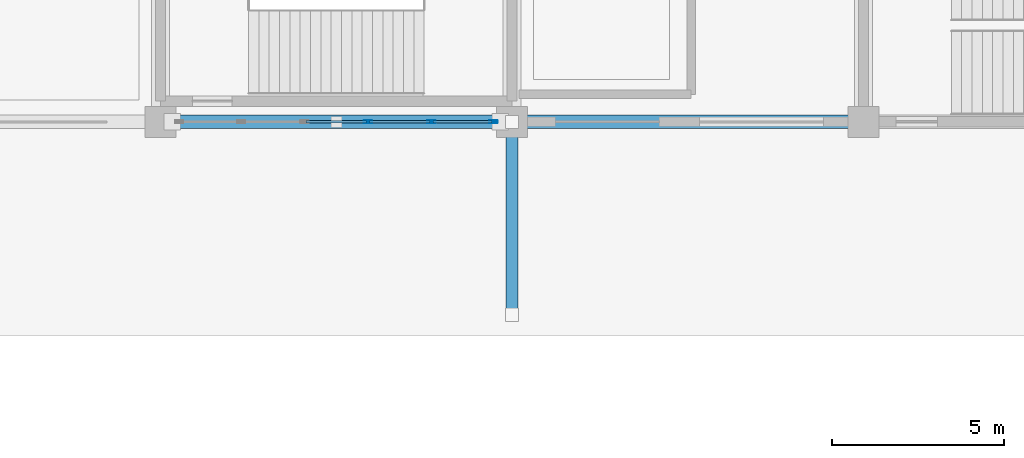
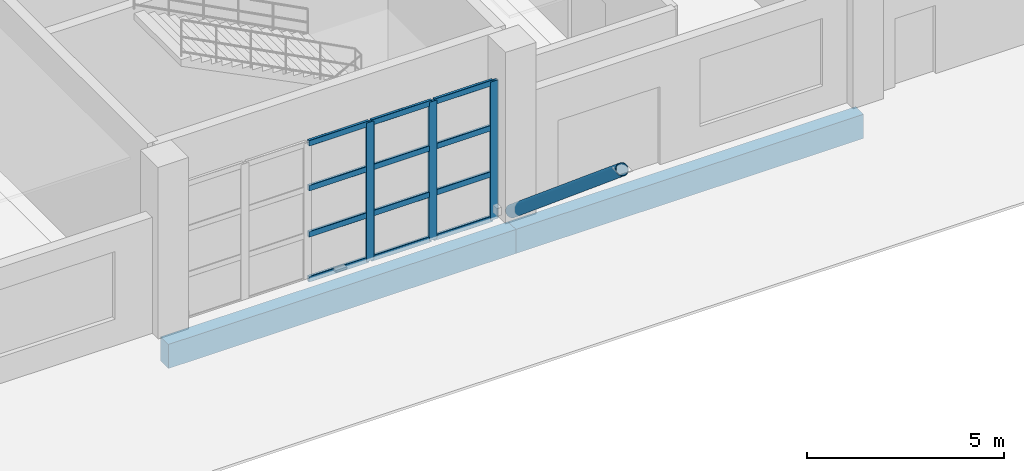
# One storey, part 24 of 124: 16 members, 2 beams, 1 element without a shape of its own.
"""IFC4 building model written with IfcOpenShell, lengths in metres."""

from ifc_helpers import new_model, si_unit, direction, frame, origin, origin_2d, place, context, subcontext, project, spatial, rectangle, hollow_rectangle, hollow_circle, extrude, material, material_profile, profile_set, type_object, element, aggregate, save


model = new_model("IFC4")

# Units and contexts
model_context = context("Model", 3, precision=1e-05, world=origin(), true_north=direction((0.0, 1.0)))
body_context = subcontext(model_context, "Body", "Model", "MODEL_VIEW")
ifc_project = project(units=[si_unit("LENGTHUNIT", "METRE"), si_unit("AREAUNIT", "SQUARE_METRE"), si_unit("VOLUMEUNIT", "CUBIC_METRE"), si_unit("PLANEANGLEUNIT", "RADIAN"), si_unit("MASSUNIT", "GRAM", prefix="KILO")], contexts=[model_context])

# Site, building, storey
site_placement = place(None, origin())
site = spatial("IfcSite", under=ifc_project, at=site_placement, CompositionType="ELEMENT")
building_placement = place(site_placement, origin())
building = spatial("IfcBuilding", under=site, at=building_placement, Name="Brelvane Convention Centre", CompositionType="ELEMENT")
storey_placement = place(building_placement, origin())
storey = spatial("IfcBuildingStorey", under=building, at=storey_placement, Name="L00", CompositionType="ELEMENT", Elevation=0.0)

# Curtain wall, members
ifc_material_1 = material(Name="Anodised Aluminium Alloy 6063-T6", Category="aluminium")
curtain_wall_type = type_object("IfcCurtainWallType", Name="Curtain Wall CW-CONC", PredefinedType="USERDEFINED", material=ifc_material_1)
curtain_wall_placement = place(storey_placement, origin())
curtain_wall = element("IfcCurtainWall", 1, at=curtain_wall_placement, inside=storey, type_object=curtain_wall_type, Name="Curtain Wall CW-CONC L00-V1S-02", ObjectType="UNITISED", PredefinedType="USERDEFINED")
ifc_material_2 = material(Name="Anodised Aluminium Alloy 6063-T6", Category="aluminium")
ifc_material_profile_1 = material_profile(ifc_material_2, hollow_rectangle(XDim=0.080078125, YDim=0.239990234375, WallThickness=0.006103515625, InnerFilletRadius=0.006103515625, OuterFilletRadius=0.011962890625, at=origin_2d()), Name="ALU-M 240x80x6.0")
ifc_profile_set_1 = profile_set([ifc_material_profile_1], Name="Anodised Aluminium Alloy 6063-T6")
member_type_1 = type_object("IfcMemberType", Name="Curtain Mullion CW-M1", PredefinedType="MULLION", material=ifc_profile_set_1)
member_1_placement = place(storey_placement, frame((16.219970703125, 19.199951171875, 0.0), z_axis=(0.0, 0.0, 1.0), x_axis=(0.0, 1.0, 0.0)))
member_1 = element("IfcMember", 2, at=member_1_placement, type_object=member_type_1, Name="CW-CONC mullion 4", PredefinedType="MULLION", context=body_context, shape_type="SweptSolid", body=[
    extrude(hollow_rectangle(XDim=0.080078125, YDim=0.239990234375, WallThickness=0.006103515625, InnerFilletRadius=0.006103515625, OuterFilletRadius=0.011962890625, at=origin_2d()), origin(), (0.0, 0.0, 1.0), 4.300048828125),
])
member_2_placement = place(storey_placement, frame((18.06005859375, 19.199951171875, 0.0), z_axis=(0.0, 0.0, 1.0), x_axis=(0.0, 1.0, 0.0)))
member_2 = element("IfcMember", 3, at=member_2_placement, type_object=member_type_1, Name="CW-CONC mullion 5", PredefinedType="MULLION", context=body_context, shape_type="SweptSolid", body=[
    extrude(hollow_rectangle(XDim=0.080078125, YDim=0.239990234375, WallThickness=0.006103515625, InnerFilletRadius=0.006103515625, OuterFilletRadius=0.011962890625, at=origin_2d()), origin(), (0.0, 0.0, 1.0), 4.300048828125),
])
member_3_placement = place(storey_placement, frame((19.860107421875, 19.199951171875, 0.0), z_axis=(0.0, 0.0, 1.0), x_axis=(0.0, 1.0, 0.0)))
member_3 = element("IfcMember", 4, at=member_3_placement, type_object=member_type_1, Name="CW-CONC mullion 6", PredefinedType="MULLION", context=body_context, shape_type="SweptSolid", body=[
    extrude(hollow_rectangle(XDim=0.080078125, YDim=0.239990234375, WallThickness=0.006103515625, InnerFilletRadius=0.006103515625, OuterFilletRadius=0.011962890625, at=origin_2d()), origin(), (0.0, 0.0, 1.0), 4.300048828125),
])
ifc_material_3 = material(Name="Anodised Aluminium Alloy 6063-T6", Category="aluminium")
ifc_material_profile_2 = material_profile(ifc_material_3, hollow_rectangle(XDim=0.080078125, YDim=0.179931640625, WallThickness=0.0048828125, InnerFilletRadius=0.0048828125, OuterFilletRadius=0.010009765625, at=origin_2d()), Name="ALU-T 180x80x5.0")
ifc_profile_set_2 = profile_set([ifc_material_profile_2], Name="Anodised Aluminium Alloy 6063-T6")
member_type_2 = type_object("IfcMemberType", Name="Curtain Transom CW-T1", PredefinedType="USERDEFINED", material=ifc_profile_set_2)
member_4_placement = place(storey_placement, frame((14.419921875, 19.199951171875, 0.0400390625), z_axis=(1.0, 0.0, 0.0), x_axis=(0.0, 1.0, 0.0)))
member_4 = element("IfcMember", 5, at=member_4_placement, type_object=member_type_2, Name="CW-CONC transom 3.1", ObjectType="TRANSOM", PredefinedType="USERDEFINED", context=body_context, shape_type="SweptSolid", body=[
    extrude(hollow_rectangle(XDim=0.080078125, YDim=0.179931640625, WallThickness=0.0048828125, InnerFilletRadius=0.0048828125, OuterFilletRadius=0.010009765625, at=origin_2d()), origin(), (0.0, 0.0, 1.0), 1.760009765625),
])
member_5_placement = place(storey_placement, frame((14.419921875, 19.199951171875, 1.433349609375), z_axis=(1.0, 0.0, 0.0), x_axis=(0.0, 1.0, 0.0)))
member_5 = element("IfcMember", 6, at=member_5_placement, type_object=member_type_2, Name="CW-CONC transom 3.2", ObjectType="TRANSOM", PredefinedType="USERDEFINED", context=body_context, shape_type="SweptSolid", body=[
    extrude(hollow_rectangle(XDim=0.080078125, YDim=0.179931640625, WallThickness=0.0048828125, InnerFilletRadius=0.0048828125, OuterFilletRadius=0.010009765625, at=origin_2d()), origin(), (0.0, 0.0, 1.0), 1.760009765625),
])
member_6_placement = place(storey_placement, frame((14.419921875, 19.199951171875, 2.86669921875), z_axis=(1.0, 0.0, 0.0), x_axis=(0.0, 1.0, 0.0)))
member_6 = element("IfcMember", 7, at=member_6_placement, type_object=member_type_2, Name="CW-CONC transom 3.3", ObjectType="TRANSOM", PredefinedType="USERDEFINED", context=body_context, shape_type="SweptSolid", body=[
    extrude(hollow_rectangle(XDim=0.080078125, YDim=0.179931640625, WallThickness=0.0048828125, InnerFilletRadius=0.0048828125, OuterFilletRadius=0.010009765625, at=origin_2d()), origin(), (0.0, 0.0, 1.0), 1.760009765625),
])
member_7_placement = place(storey_placement, frame((14.419921875, 19.199951171875, 4.260009765625), z_axis=(1.0, 0.0, 0.0), x_axis=(0.0, 1.0, 0.0)))
member_7 = element("IfcMember", 8, at=member_7_placement, type_object=member_type_2, Name="CW-CONC transom 3.4", ObjectType="TRANSOM", PredefinedType="USERDEFINED", context=body_context, shape_type="SweptSolid", body=[
    extrude(hollow_rectangle(XDim=0.080078125, YDim=0.179931640625, WallThickness=0.0048828125, InnerFilletRadius=0.0048828125, OuterFilletRadius=0.010009765625, at=origin_2d()), origin(), (0.0, 0.0, 1.0), 1.760009765625),
])
member_8_placement = place(storey_placement, frame((16.260009765625, 19.199951171875, 0.0400390625), z_axis=(1.0, 0.0, 0.0), x_axis=(0.0, 1.0, 0.0)))
member_8 = element("IfcMember", 9, at=member_8_placement, type_object=member_type_2, Name="CW-CONC transom 4.1", ObjectType="TRANSOM", PredefinedType="USERDEFINED", context=body_context, shape_type="SweptSolid", body=[
    extrude(hollow_rectangle(XDim=0.080078125, YDim=0.179931640625, WallThickness=0.0048828125, InnerFilletRadius=0.0048828125, OuterFilletRadius=0.010009765625, at=origin_2d()), origin(), (0.0, 0.0, 1.0), 1.760009765625),
])
member_9_placement = place(storey_placement, frame((16.260009765625, 19.199951171875, 1.433349609375), z_axis=(1.0, 0.0, 0.0), x_axis=(0.0, 1.0, 0.0)))
member_9 = element("IfcMember", 10, at=member_9_placement, type_object=member_type_2, Name="CW-CONC transom 4.2", ObjectType="TRANSOM", PredefinedType="USERDEFINED", context=body_context, shape_type="SweptSolid", body=[
    extrude(hollow_rectangle(XDim=0.080078125, YDim=0.179931640625, WallThickness=0.0048828125, InnerFilletRadius=0.0048828125, OuterFilletRadius=0.010009765625, at=origin_2d()), origin(), (0.0, 0.0, 1.0), 1.760009765625),
])
member_10_placement = place(storey_placement, frame((16.260009765625, 19.199951171875, 2.86669921875), z_axis=(1.0, 0.0, 0.0), x_axis=(0.0, 1.0, 0.0)))
member_10 = element("IfcMember", 11, at=member_10_placement, type_object=member_type_2, Name="CW-CONC transom 4.3", ObjectType="TRANSOM", PredefinedType="USERDEFINED", context=body_context, shape_type="SweptSolid", body=[
    extrude(hollow_rectangle(XDim=0.080078125, YDim=0.179931640625, WallThickness=0.0048828125, InnerFilletRadius=0.0048828125, OuterFilletRadius=0.010009765625, at=origin_2d()), origin(), (0.0, 0.0, 1.0), 1.760009765625),
])
member_11_placement = place(storey_placement, frame((16.260009765625, 19.199951171875, 4.260009765625), z_axis=(1.0, 0.0, 0.0), x_axis=(0.0, 1.0, 0.0)))
member_11 = element("IfcMember", 12, at=member_11_placement, type_object=member_type_2, Name="CW-CONC transom 4.4", ObjectType="TRANSOM", PredefinedType="USERDEFINED", context=body_context, shape_type="SweptSolid", body=[
    extrude(hollow_rectangle(XDim=0.080078125, YDim=0.179931640625, WallThickness=0.0048828125, InnerFilletRadius=0.0048828125, OuterFilletRadius=0.010009765625, at=origin_2d()), origin(), (0.0, 0.0, 1.0), 1.760009765625),
])
member_12_placement = place(storey_placement, frame((18.10009765625, 19.199951171875, 0.0400390625), z_axis=(1.0, 0.0, 0.0), x_axis=(0.0, 1.0, 0.0)))
member_12 = element("IfcMember", 13, at=member_12_placement, type_object=member_type_2, Name="CW-CONC transom 5.1", ObjectType="TRANSOM", PredefinedType="USERDEFINED", context=body_context, shape_type="SweptSolid", body=[
    extrude(hollow_rectangle(XDim=0.080078125, YDim=0.179931640625, WallThickness=0.0048828125, InnerFilletRadius=0.0048828125, OuterFilletRadius=0.010009765625, at=origin_2d()), origin(), (0.0, 0.0, 1.0), 1.719970703125),
])
member_13_placement = place(storey_placement, frame((18.10009765625, 19.199951171875, 1.433349609375), z_axis=(1.0, 0.0, 0.0), x_axis=(0.0, 1.0, 0.0)))
member_13 = element("IfcMember", 14, at=member_13_placement, type_object=member_type_2, Name="CW-CONC transom 5.2", ObjectType="TRANSOM", PredefinedType="USERDEFINED", context=body_context, shape_type="SweptSolid", body=[
    extrude(hollow_rectangle(XDim=0.080078125, YDim=0.179931640625, WallThickness=0.0048828125, InnerFilletRadius=0.0048828125, OuterFilletRadius=0.010009765625, at=origin_2d()), origin(), (0.0, 0.0, 1.0), 1.719970703125),
])
member_14_placement = place(storey_placement, frame((18.10009765625, 19.199951171875, 2.86669921875), z_axis=(1.0, 0.0, 0.0), x_axis=(0.0, 1.0, 0.0)))
member_14 = element("IfcMember", 15, at=member_14_placement, type_object=member_type_2, Name="CW-CONC transom 5.3", ObjectType="TRANSOM", PredefinedType="USERDEFINED", context=body_context, shape_type="SweptSolid", body=[
    extrude(hollow_rectangle(XDim=0.080078125, YDim=0.179931640625, WallThickness=0.0048828125, InnerFilletRadius=0.0048828125, OuterFilletRadius=0.010009765625, at=origin_2d()), origin(), (0.0, 0.0, 1.0), 1.719970703125),
])
member_15_placement = place(storey_placement, frame((18.10009765625, 19.199951171875, 4.260009765625), z_axis=(1.0, 0.0, 0.0), x_axis=(0.0, 1.0, 0.0)))
member_15 = element("IfcMember", 16, at=member_15_placement, type_object=member_type_2, Name="CW-CONC transom 5.4", ObjectType="TRANSOM", PredefinedType="USERDEFINED", context=body_context, shape_type="SweptSolid", body=[
    extrude(hollow_rectangle(XDim=0.080078125, YDim=0.179931640625, WallThickness=0.0048828125, InnerFilletRadius=0.0048828125, OuterFilletRadius=0.010009765625, at=origin_2d()), origin(), (0.0, 0.0, 1.0), 1.719970703125),
])
aggregate(curtain_wall, [member_1, member_2, member_3, member_4, member_5, member_6, member_7, member_8, member_9, member_10, member_11, member_12, member_13, member_14, member_15])

# Beams
ifc_material_4 = material(Name="Concrete M40", Category="concrete")
ifc_material_profile_3 = material_profile(ifc_material_4, rectangle(XDim=0.39990234375, YDim=0.75, at=origin_2d()), Name="RC 400x750")
ifc_profile_set_3 = profile_set([ifc_material_profile_3], Name="Concrete M40")
beam_type = type_object("IfcBeamType", Name="RC Spandrel SP-RC1 (RC 400x750)", PredefinedType="SPANDREL", material=ifc_profile_set_3)
beam_1_placement = place(storey_placement, frame((10.199951171875, 19.199951171875, -0.77490234375), z_axis=(1.0, 0.0, 0.0), x_axis=(0.0, 1.0, 0.0)))
element("IfcBeam", 17, at=beam_1_placement, inside=storey, type_object=beam_type, Name="L00 Beam 2-3/C", PredefinedType="SPANDREL", context=body_context, shape_type="SweptSolid", body=[
    extrude(rectangle(XDim=0.39990234375, YDim=0.75, at=origin_2d()), origin(), (0.0, 0.0, 1.0), 10.199951171875),
])
beam_2_placement = place(storey_placement, frame((20.39990234375, 19.199951171875, -0.77490234375), z_axis=(1.0, 0.0, 0.0), x_axis=(0.0, 1.0, 0.0)))
element("IfcBeam", 18, at=beam_2_placement, inside=storey, type_object=beam_type, Name="L00 Beam 3-4/C", PredefinedType="SPANDREL", context=body_context, shape_type="SweptSolid", body=[
    extrude(rectangle(XDim=0.39990234375, YDim=0.75, at=origin_2d()), origin(), (0.0, 0.0, 1.0), 10.2001953125),
])

# Member
ifc_material_5 = material(Name="Steel E450 (450 MPa)", Category="steel")
ifc_material_profile_4 = material_profile(ifc_material_5, hollow_circle(Radius=0.177734375, WallThickness=0.01611328125, at=origin_2d()), Name="CHS 355.6x16.0")
ifc_profile_set_4 = profile_set([ifc_material_profile_4], Name="Steel E450 (450 MPa)")
member_type_3 = type_object("IfcMemberType", Name="Steel Strut HS-ST1 (CHS 355.6x16.0)", PredefinedType="STRUT", material=ifc_profile_set_4)
member_16_placement = place(storey_placement, frame((20.39990234375, 19.199951171875, 0.050048828125), z_axis=(0.0, -0.766643647724, 0.642072828739), x_axis=(1.0, 0.0, 0.0)))
element("IfcMember", 19, at=member_16_placement, inside=storey, type_object=member_type_3, Name="Hull Overhang Raked Strut L00 V1-3", PredefinedType="STRUT", context=body_context, shape_type="SweptSolid", body=[
    extrude(hollow_circle(Radius=0.177734375, WallThickness=0.01611328125, at=origin_2d()), origin(), (0.0, 0.0, 1.0), 7.304443359375),
])

save(model, "model.ifc")
